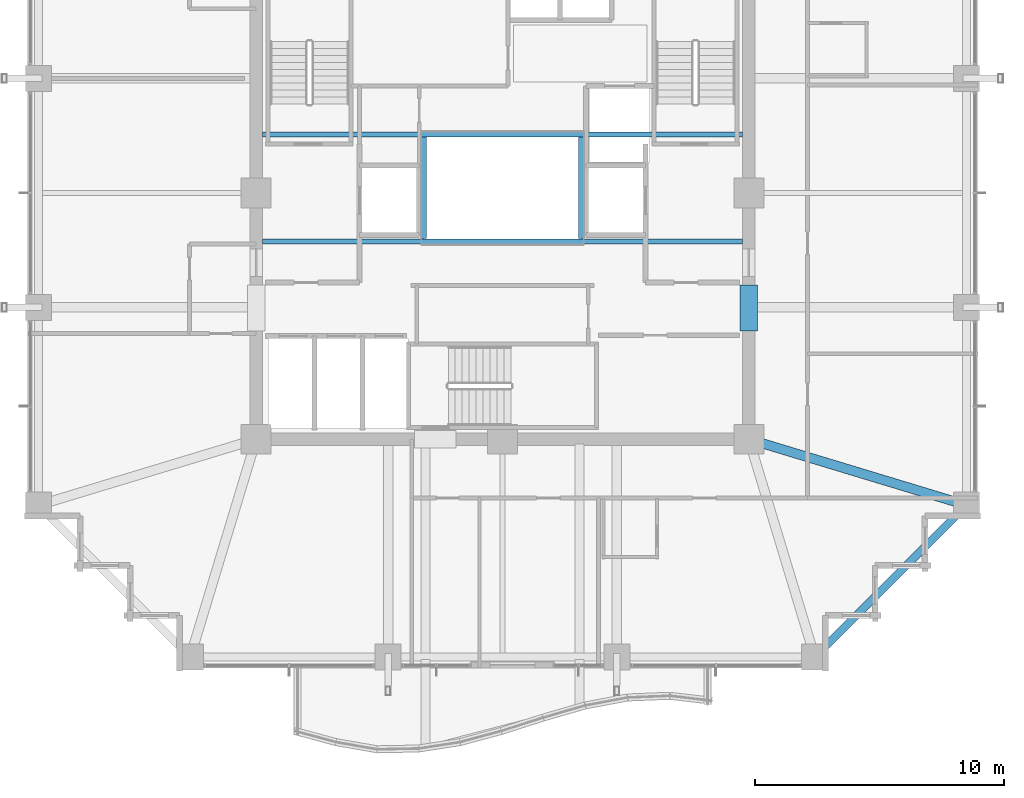
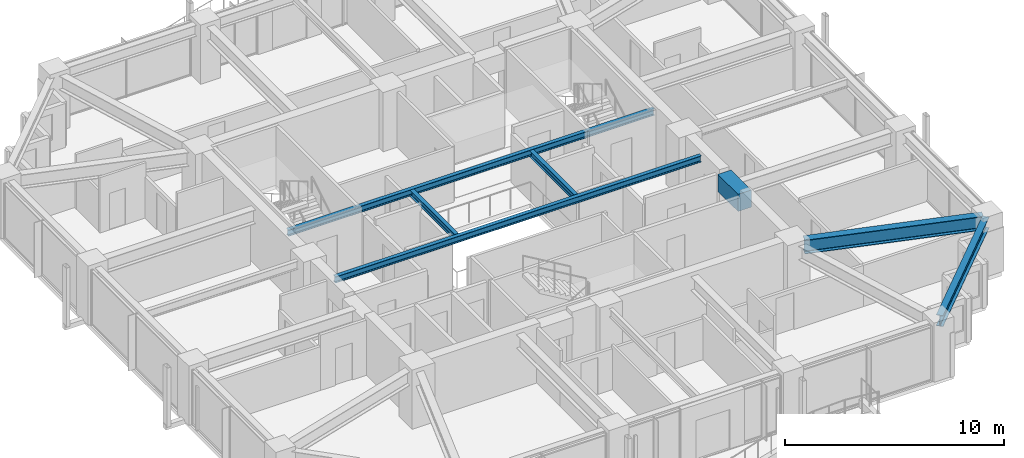
# One storey, part 10 of 31: 7 beams.
"""IFC4 building model written with IfcOpenShell, lengths in metres."""

from ifc_helpers import new_model, si_unit, direction, frame, origin, origin_2d, place, context, subcontext, project, spatial, rectangle, i_section, extrude, material, material_profile, profile_set, type_object, element, save


model = new_model("IFC4")

# Units and contexts
model_context = context("Model", 3, precision=1e-05, world=origin(), true_north=direction((0.0, 1.0)))
body_context = subcontext(model_context, "Body", "Model", "MODEL_VIEW")
ifc_project = project(units=[si_unit("LENGTHUNIT", "METRE"), si_unit("AREAUNIT", "SQUARE_METRE"), si_unit("VOLUMEUNIT", "CUBIC_METRE"), si_unit("PLANEANGLEUNIT", "RADIAN"), si_unit("MASSUNIT", "GRAM", prefix="KILO")], contexts=[model_context])

# Site, building, storey
site_placement = place(None, origin())
site = spatial("IfcSite", under=ifc_project, at=site_placement, CompositionType="ELEMENT")
building_placement = place(site_placement, origin())
building = spatial("IfcBuilding", under=site, at=building_placement, Name="Kolvaren Belvedere", CompositionType="ELEMENT")
storey_placement = place(building_placement, frame((0.0, 0.0, 118.39990234375)))
storey = spatial("IfcBuildingStorey", under=building, at=storey_placement, Name="L34", CompositionType="ELEMENT", Elevation=118.39990234375)

# Beams
ifc_material_1 = material(Name="Structural steel ASTM A992 Grade 50", Category="steel")
ifc_material_profile_1 = material_profile(ifc_material_1, i_section(OverallWidth=0.2041015625, OverallDepth=0.35009765625, WebThickness=0.008544921875, FlangeThickness=0.01513671875, FilletRadius=0.013916015625, at=origin_2d()), Name="W14X48")
ifc_profile_set_1 = profile_set([ifc_material_profile_1], Name="Structural steel ASTM A992 Grade 50")
beam_type_1 = type_object("IfcBeamType", Name="BM-ATRIUM-W14X48", PredefinedType="BEAM", material=ifc_profile_set_1)
for number, where, z_axis, x_axis, name in (
    (1, (-9.64990234375, -1.949951171875, 2.905029296875), (1.0, 0.0, 0.0), (0.0, 1.0, 0.0), "L34 Central Atrium South Girder AS"),
    (2, (-9.64990234375, 2.35009765625, 2.905029296875), (1.0, 0.0, 0.0), (0.0, 1.0, 0.0), "L34 Central Atrium North Girder AN"),
):
    element("IfcBeam", number, at=place(storey_placement, frame(where, z_axis=z_axis, x_axis=x_axis)), inside=storey, type_object=beam_type_1, Name=name, PredefinedType="BEAM", context=body_context, shape_type="SweptSolid", body=[
        extrude(i_section(OverallWidth=0.2041015625, OverallDepth=0.35009765625, WebThickness=0.008544921875, FlangeThickness=0.01513671875, FilletRadius=0.013916015625, at=origin_2d()), origin(), (0.0, 0.0, 1.0), 19.2998046875),
    ])
for number, where, z_axis, x_axis, name in (
    (3, (-3.14990234375, -1.840087890625, 2.905029296875), (0.0, 1.0, 0.0), (-1.0, 0.0, 0.0), "L34 Central Atrium West Edge Beam AW"),
    (4, (3.14990234375, -1.840087890625, 2.905029296875), (0.0, 1.0, 0.0), (-1.0, 0.0, 0.0), "L34 Central Atrium East Edge Beam AE"),
):
    element("IfcBeam", number, at=place(storey_placement, frame(where, z_axis=z_axis, x_axis=x_axis)), inside=storey, type_object=beam_type_1, Name=name, PredefinedType="BEAM", context=body_context, shape_type="SweptSolid", body=[
        extrude(i_section(OverallWidth=0.2041015625, OverallDepth=0.35009765625, WebThickness=0.008544921875, FlangeThickness=0.01513671875, FilletRadius=0.013916015625, at=origin_2d()), origin(), (0.0, 0.0, 1.0), 4.080078125),
    ])
ifc_material_2 = material(Name="Structural steel ASTM A992 Grade 50", Category="steel")
ifc_material_profile_2 = material_profile(ifc_material_2, i_section(OverallWidth=0.381103515625, OverallDepth=0.77294921875, WebThickness=0.0166015625, FlangeThickness=0.027099609375, FilletRadius=0.02392578125, at=origin_2d()), Name="W30X173")
ifc_profile_set_2 = profile_set([ifc_material_profile_2], Name="Structural steel ASTM A992 Grade 50")
beam_type_2 = type_object("IfcBeamType", Name="BM-GIRD-W30X173", PredefinedType="BEAM", material=ifc_profile_set_2)
beam_1_placement = place(storey_placement, frame((10.426513671875, -10.059326171875, 2.693603515625), z_axis=(0.957069465398, -0.289858652454, 0.0), x_axis=(0.289858652454, 0.957069465398, 0.0)))
element("IfcBeam", 5, at=beam_1_placement, inside=storey, type_object=beam_type_2, Name="L34 Corner Core-to-Perimeter Girder CC2-E1", PredefinedType="BEAM", context=body_context, shape_type="SweptSolid", body=[
    extrude(i_section(OverallWidth=0.381103515625, OverallDepth=0.77294921875, WebThickness=0.0166015625, FlangeThickness=0.027099609375, FilletRadius=0.02392578125, at=origin_2d()), origin(), (0.0, 0.0, 1.0), 8.38232421875),
])
ifc_material_3 = material(Name="Concrete C60/75", Category="concrete")
ifc_material_profile_3 = material_profile(ifc_material_3, rectangle(XDim=0.699951171875, YDim=0.949951171875, at=origin_2d()), Name="RC 700X950")
ifc_profile_set_3 = profile_set([ifc_material_profile_3], Name="Concrete C60/75")
beam_type_3 = type_object("IfcBeamType", Name="BM-LINT-950", PredefinedType="LINTEL", material=ifc_profile_set_3)
beam_2_placement = place(storey_placement, frame((9.89990234375, -5.550048828125, 2.60498046875), z_axis=(0.0, 1.0, 0.0), x_axis=(-1.0, 0.0, 0.0)))
element("IfcBeam", 6, at=beam_2_placement, inside=storey, type_object=beam_type_3, Name="L34 East Core Coupling Lintel", PredefinedType="LINTEL", context=body_context, shape_type="SweptSolid", body=[
    extrude(rectangle(XDim=0.699951171875, YDim=0.949951171875, at=origin_2d()), origin(), (0.0, 0.0, 1.0), 1.85009765625),
])
ifc_material_4 = material(Name="Structural steel ASTM A992 Grade 50", Category="steel")
ifc_material_profile_4 = material_profile(ifc_material_4, i_section(OverallWidth=0.324951171875, OverallDepth=0.615966796875, WebThickness=0.013916015625, FlangeThickness=0.021484375, FilletRadius=0.02001953125, at=origin_2d()), Name="W24X117")
ifc_profile_set_4 = profile_set([ifc_material_profile_4], Name="Structural steel ASTM A992 Grade 50")
beam_type_4 = type_object("IfcBeamType", Name="BM-SPAN-W24X117", PredefinedType="SPANDREL", material=ifc_profile_set_4)
beam_3_placement = place(storey_placement, frame((12.717041015625, -18.48291015625, 2.772216796875), z_axis=(0.707106781187, 0.707106781187, 0.0), x_axis=(-0.707106781187, 0.707106781187, 0.0)))
element("IfcBeam", 7, at=beam_3_placement, inside=storey, type_object=beam_type_4, Name="L34 Perimeter Spandrel S4-E1", PredefinedType="SPANDREL", context=body_context, shape_type="SweptSolid", body=[
    extrude(i_section(OverallWidth=0.324951171875, OverallDepth=0.615966796875, WebThickness=0.013916015625, FlangeThickness=0.021484375, FilletRadius=0.02001953125, at=origin_2d()), origin(), (0.0, 0.0, 1.0), 8.154052734375),
])

save(model, "model.ifc")
